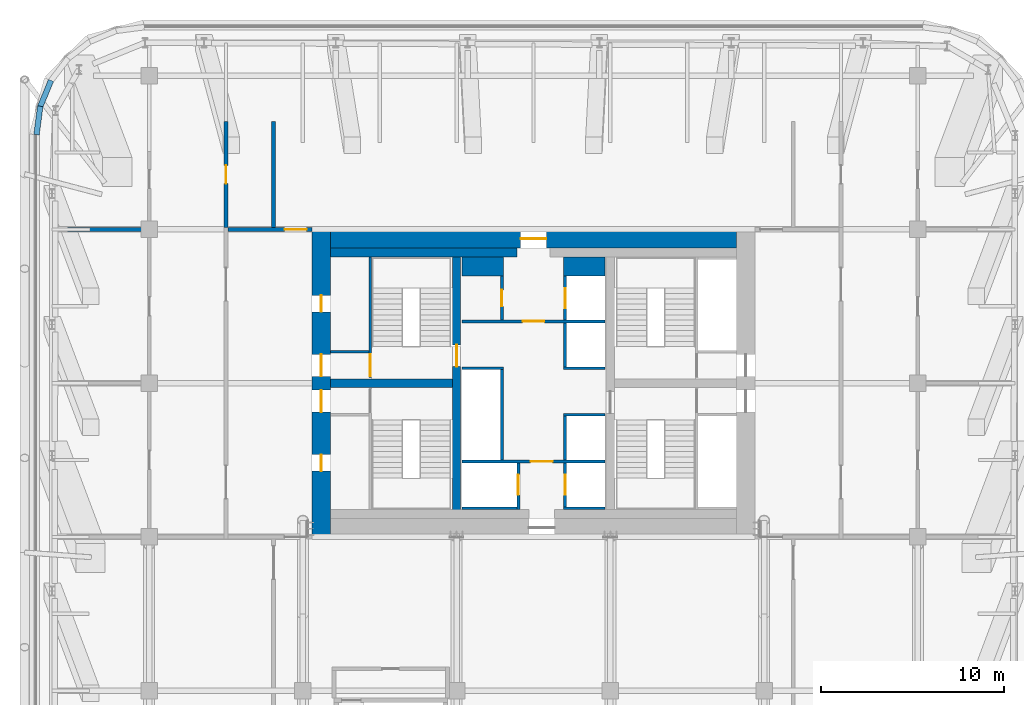
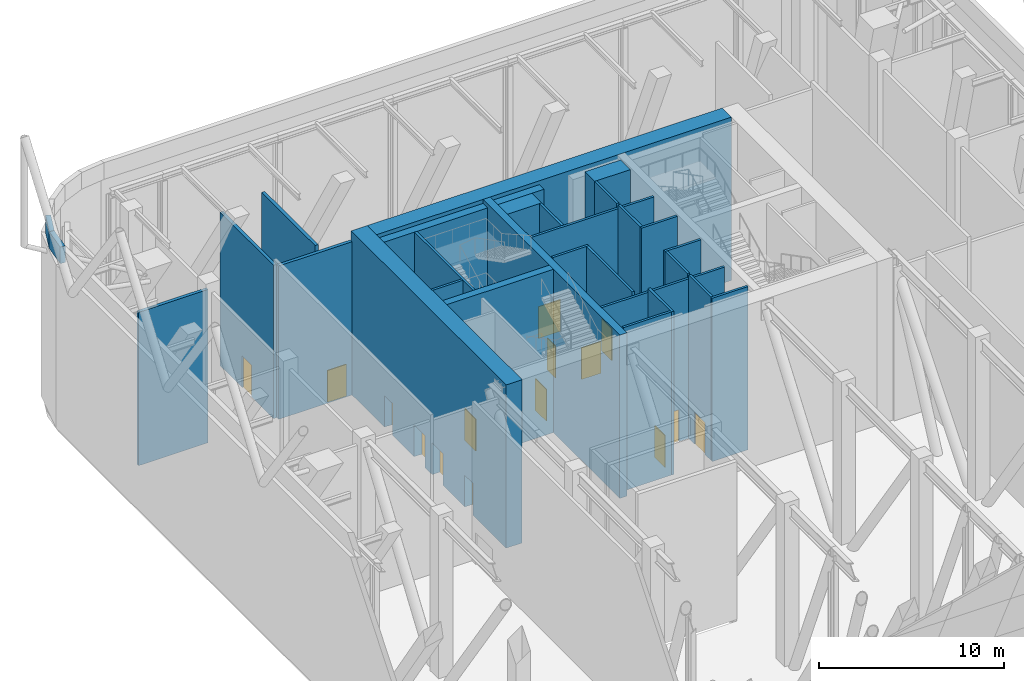
# One storey, part 11 of 20: 29 walls, 15 doors, 15 openings.
"""IFC4 building model written with IfcOpenShell, lengths in metres."""

from ifc_helpers import new_model, si_unit, direction, frame, frame_2d, origin, place, context, subcontext, project, spatial, rectangle, extrude, material, layer, layer_set, type_object, element, fill, save


model = new_model("IFC4")

# Units and contexts
model_context = context("Model", 3, precision=1e-05, world=origin(), true_north=direction((0.0, 1.0)))
body_context = subcontext(model_context, "Body", "Model", "MODEL_VIEW")
ifc_project = project(units=[si_unit("LENGTHUNIT", "METRE"), si_unit("AREAUNIT", "SQUARE_METRE"), si_unit("VOLUMEUNIT", "CUBIC_METRE"), si_unit("PLANEANGLEUNIT", "RADIAN"), si_unit("MASSUNIT", "GRAM", prefix="KILO")], contexts=[model_context])

# Site, building, storey
site_placement = place(None, origin())
site = spatial("IfcSite", under=ifc_project, at=site_placement, CompositionType="ELEMENT")
building_placement = place(site_placement, origin())
building = spatial("IfcBuilding", under=site, at=building_placement, Name="Marenta Gate Hotel Tower", CompositionType="ELEMENT")
storey_placement = place(building_placement, frame((0.0, 0.0, 169.699951171875)))
storey = spatial("IfcBuildingStorey", under=building, at=storey_placement, Name="L40", CompositionType="ELEMENT", Elevation=169.699951171875)

# Wall, opening, door
ifc_material_1 = material(Name="Concrete blockwork", Category="masonry")
ifc_layer_1 = layer(ifc_material_1, 0.199951171875)
ifc_layer_set_1 = layer_set([ifc_layer_1], Name="Concrete blockwork")
wall_type_1 = type_object("IfcWallType", Name="Core boundary wall 200 REI 180", PredefinedType="PARTITIONING", material=ifc_layer_set_1)
wall_1_placement = place(storey_placement, frame((-16.699951171875, 16.800048828125, 0.0), z_axis=(0.0, 0.0, 1.0), x_axis=(1.0, 0.0, 0.0)))
wall_1 = element("IfcWall", 1, at=wall_1_placement, inside=storey, type_object=wall_type_1, Name="L40-CP-EW-WN", PredefinedType="PARTITIONING", context=body_context, shape_type="SweptSolid", body=[
    extrude(rectangle(XDim=4.599853515625, YDim=0.199951171875, at=frame_2d((2.2998046875, 0.0))), origin(), (0.0, 0.0, 1.0), 10.14013671875),
])
opening_1_placement = place(wall_1_placement, frame((3.10009765625, 0.0, 0.0)))
opening_1 = element("IfcOpeningElement", 2, at=opening_1_placement, cuts=wall_1, Name="Opening RFD-WN", PredefinedType="OPENING", context=body_context, shape_type="SweptSolid", body=[
    extrude(rectangle(XDim=1.199951171875, YDim=2.10009765625, at=frame_2d((0.60009765625, 1.050048828125))), frame((0.0, 0.10009765625, 0.0), z_axis=(0.0, -1.0, 0.0), x_axis=(1.0, 0.0, 0.0)), (0.0, 0.0, 1.0), 0.199951171875),
])
ifc_material_2 = material(Name="Steel", Category="steel")
door_type_1 = type_object("IfcDoorType", Name="Core lobby door 1200x2100 FD60", OperationType="SINGLE_SWING_LEFT", PredefinedType="DOOR", material=ifc_material_2)
door_1_placement = place(opening_1_placement, origin())
door_1 = element("IfcDoor", 3, at=door_1_placement, inside=storey, type_object=door_type_1, Name="RFD-WN", OperationType="SINGLE_SWING_LEFT", OverallHeight=2.10009765625, OverallWidth=1.199951171875, PredefinedType="DOOR", context=body_context, shape_type="SweptSolid", body=[
    extrude(rectangle(XDim=1.199951171875, YDim=2.10009765625, at=frame_2d((0.60009765625, 1.050048828125))), frame((0.0, 0.02490234375, 0.0), z_axis=(0.0, -1.0, 0.0), x_axis=(1.0, 0.0, 0.0)), (0.0, 0.0, 1.0), 0.050048828125),
])
fill(opening_1, door_1)

# Wall
ifc_material_3 = material(Name="Concrete C40", Category="concrete")
ifc_layer_2 = layer(ifc_material_3, 0.5)
ifc_layer_set_2 = layer_set([ifc_layer_2], Name="Concrete C40")
wall_type_2 = type_object("IfcWallType", Name="Core lining wall 500 REI 180", PredefinedType="PARTITIONING", material=ifc_layer_set_2)
wall_2_placement = place(storey_placement, frame((-11.10009765625, 15.550048828125, 0.0), z_axis=(0.0, 0.0, 1.0), x_axis=(1.0, 0.0, 0.0)))
element("IfcWall", 4, at=wall_2_placement, inside=storey, type_object=wall_type_2, Name="L40-CP-LN-N1", PredefinedType="PARTITIONING", context=body_context, shape_type="SweptSolid", body=[
    extrude(rectangle(XDim=10.2001953125, YDim=0.5, at=frame_2d((5.10009765625, 0.0))), origin(), (0.0, 0.0, 1.0), 10.5400390625),
])

# Wall, opening, door
ifc_material_4 = material(Name="Concrete blockwork", Category="masonry")
ifc_layer_3 = layer(ifc_material_4, 0.14990234375)
ifc_layer_set_3 = layer_set([ifc_layer_3], Name="Concrete blockwork")
wall_type_3 = type_object("IfcWallType", Name="Core lobby partition 150 REI 180", PredefinedType="PARTITIONING", material=ifc_layer_set_3)
wall_3_placement = place(storey_placement, frame((-3.89990234375, 4.125, 0.0), z_axis=(0.0, 0.0, 1.0), x_axis=(1.0, 0.0, 0.0)))
wall_3 = element("IfcWall", 5, at=wall_3_placement, inside=storey, type_object=wall_type_3, Name="L40-CP-CW-S", PredefinedType="PARTITIONING", context=body_context, shape_type="SweptSolid", body=[
    extrude(rectangle(XDim=7.7998046875, YDim=0.14990234375, at=frame_2d((3.89990234375, 0.0))), origin(), (0.0, 0.0, 1.0), 10.5400390625),
])
opening_2_placement = place(wall_3_placement, frame((3.75, 0.0, 0.0)))
opening_2 = element("IfcOpeningElement", 6, at=opening_2_placement, cuts=wall_3, Name="Opening FD-FFS", PredefinedType="OPENING", context=body_context, shape_type="SweptSolid", body=[
    extrude(rectangle(XDim=1.199951171875, YDim=2.10009765625, at=frame_2d((0.60009765625, 1.050048828125))), frame((0.0, 0.074951171875, 0.0), z_axis=(0.0, -1.0, 0.0), x_axis=(1.0, 0.0, 0.0)), (0.0, 0.0, 1.0), 0.14990234375),
])
door_2_placement = place(opening_2_placement, origin())
door_2 = element("IfcDoor", 7, at=door_2_placement, inside=storey, type_object=door_type_1, Name="FD-FFS", OperationType="SINGLE_SWING_LEFT", OverallHeight=2.10009765625, OverallWidth=1.199951171875, PredefinedType="DOOR", context=body_context, shape_type="SweptSolid", body=[
    extrude(rectangle(XDim=1.199951171875, YDim=2.10009765625, at=frame_2d((0.60009765625, 1.050048828125))), frame((0.0, 0.02490234375, 0.0), z_axis=(0.0, -1.0, 0.0), x_axis=(1.0, 0.0, 0.0)), (0.0, 0.0, 1.0), 0.050048828125),
])
fill(opening_2, door_2)

wall_4_placement = place(storey_placement, frame((-3.89990234375, 11.77490234375, 0.0), z_axis=(0.0, 0.0, 1.0), x_axis=(1.0, 0.0, 0.0)))
wall_4 = element("IfcWall", 8, at=wall_4_placement, inside=storey, type_object=wall_type_3, Name="L40-CP-CW-N", PredefinedType="PARTITIONING", context=body_context, shape_type="SweptSolid", body=[
    extrude(rectangle(XDim=7.7998046875, YDim=0.14990234375, at=frame_2d((3.89990234375, 0.0))), origin(), (0.0, 0.0, 1.0), 10.5400390625),
])
opening_3_placement = place(wall_4_placement, frame((3.300048828125, 0.0, 0.0)))
opening_3 = element("IfcOpeningElement", 9, at=opening_3_placement, cuts=wall_4, Name="Opening FD-FFN", PredefinedType="OPENING", context=body_context, shape_type="SweptSolid", body=[
    extrude(rectangle(XDim=1.199951171875, YDim=2.10009765625, at=frame_2d((0.60009765625, 1.050048828125))), frame((0.0, 0.074951171875, 0.0), z_axis=(0.0, -1.0, 0.0), x_axis=(1.0, 0.0, 0.0)), (0.0, 0.0, 1.0), 0.14990234375),
])
door_3_placement = place(opening_3_placement, origin())
door_3 = element("IfcDoor", 10, at=door_3_placement, inside=storey, type_object=door_type_1, Name="FD-FFN", OperationType="SINGLE_SWING_LEFT", OverallHeight=2.10009765625, OverallWidth=1.199951171875, PredefinedType="DOOR", context=body_context, shape_type="SweptSolid", body=[
    extrude(rectangle(XDim=1.199951171875, YDim=2.10009765625, at=frame_2d((0.60009765625, 1.050048828125))), frame((0.0, 0.02490234375, 0.0), z_axis=(0.0, -1.0, 0.0), x_axis=(1.0, 0.0, 0.0)), (0.0, 0.0, 1.0), 0.050048828125),
])
fill(opening_3, door_3)

# Walls
ifc_material_5 = material(Name="Concrete blockwork", Category="masonry")
ifc_layer_4 = layer(ifc_material_5, 1.050048828125)
ifc_layer_set_4 = layer_set([ifc_layer_4], Name="Concrete blockwork")
wall_type_4 = type_object("IfcWallType", Name="Core room partition 1050 REI 180", PredefinedType="PARTITIONING", material=ifc_layer_set_4)
wall_5_placement = place(storey_placement, frame((-3.89990234375, 14.77490234375, 0.0), z_axis=(0.0, 0.0, 1.0), x_axis=(1.0, 0.0, 0.0)))
element("IfcWall", 11, at=wall_5_placement, inside=storey, type_object=wall_type_4, Name="L40-CP-CW-W-riser-N", PredefinedType="PARTITIONING", context=body_context, shape_type="SweptSolid", body=[
    extrude(rectangle(XDim=2.25, YDim=1.050048828125, at=frame_2d((1.125, 0.0))), origin(), (0.0, 0.0, 1.0), 10.5400390625),
])
ifc_material_6 = material(Name="Concrete blockwork", Category="masonry")
ifc_layer_5 = layer(ifc_material_6, 0.14990234375)
ifc_layer_set_5 = layer_set([ifc_layer_5], Name="Concrete blockwork")
wall_type_5 = type_object("IfcWallType", Name="Core room partition 150 REI 180", PredefinedType="PARTITIONING", material=ifc_layer_set_5)
wall_6_placement = place(storey_placement, frame((-11.10009765625, 10.125, 0.0), z_axis=(0.0, 0.0, 1.0), x_axis=(1.0, 0.0, 0.0)))
element("IfcWall", 12, at=wall_6_placement, inside=storey, type_object=wall_type_5, Name="L40-CP-SW-WN-2", PredefinedType="PARTITIONING", context=body_context, shape_type="SweptSolid", body=[
    extrude(rectangle(XDim=2.10009765625, YDim=0.14990234375, at=frame_2d((1.050048828125, 0.0))), origin(), (0.0, 0.0, 1.0), 10.5400390625),
])

# Wall, opening, door
wall_7_placement = place(storey_placement, frame((-1.72509765625, 11.85009765625, 0.0), z_axis=(0.0, 0.0, 1.0), x_axis=(0.0, 1.0, 0.0)))
wall_7 = element("IfcWall", 13, at=wall_7_placement, inside=storey, type_object=wall_type_5, Name="L40-CP-CW-W-riser-front", PredefinedType="PARTITIONING", context=body_context, shape_type="SweptSolid", body=[
    extrude(rectangle(XDim=2.39990234375, YDim=0.14990234375, at=frame_2d((1.199951171875, 0.0))), origin(), (0.0, 0.0, 1.0), 10.5400390625),
])
opening_4_placement = place(wall_7_placement, frame((0.75, 0.0, 0.0)))
opening_4 = element("IfcOpeningElement", 14, at=opening_4_placement, cuts=wall_7, Name="Opening RD-CRISER", PredefinedType="OPENING", context=body_context, shape_type="SweptSolid", body=[
    extrude(rectangle(XDim=0.89990234375, YDim=2.10009765625, at=frame_2d((0.449951171875, 1.050048828125))), frame((0.0, 0.074951171875, 0.0), z_axis=(0.0, -1.0, 0.0), x_axis=(1.0, 0.0, 0.0)), (0.0, 0.0, 1.0), 0.14990234375),
])
ifc_material_7 = material(Name="Steel", Category="steel")
door_type_2 = type_object("IfcDoorType", Name="Core riser door 900x2100 FD60", OperationType="SINGLE_SWING_LEFT", PredefinedType="DOOR", material=ifc_material_7)
door_4_placement = place(opening_4_placement, origin())
door_4 = element("IfcDoor", 15, at=door_4_placement, inside=storey, type_object=door_type_2, Name="RD-CRISER", OperationType="SINGLE_SWING_LEFT", OverallHeight=2.10009765625, OverallWidth=0.89990234375, PredefinedType="DOOR", context=body_context, shape_type="SweptSolid", body=[
    extrude(rectangle(XDim=0.89990234375, YDim=2.10009765625, at=frame_2d((0.449951171875, 1.050048828125))), frame((0.0, 0.02490234375, 0.0), z_axis=(0.0, -1.0, 0.0), x_axis=(1.0, 0.0, 0.0)), (0.0, 0.0, 1.0), 0.050048828125),
])
fill(opening_4, door_4)

# Wall
ifc_material_8 = material(Name="Concrete C40", Category="concrete")
ifc_layer_6 = layer(ifc_material_8, 1.050048828125)
ifc_layer_set_6 = layer_set([ifc_layer_6], Name="Concrete C40")
wall_type_6 = type_object("IfcWallType", Name="Core shaft wall 1050 REI 180", PredefinedType="SHEAR", material=ifc_layer_set_6)
wall_8_placement = place(storey_placement, frame((1.64990234375, 14.77490234375, 0.0), z_axis=(0.0, 0.0, 1.0), x_axis=(1.0, 0.0, 0.0)))
element("IfcWall", 16, at=wall_8_placement, inside=storey, type_object=wall_type_6, Name="L40-SHF-CE-N-top", PredefinedType="SHEAR", context=body_context, shape_type="SweptSolid", body=[
    extrude(rectangle(XDim=2.25, YDim=1.050048828125, at=frame_2d((1.125, 0.0))), origin(), (0.0, 0.0, 1.0), 10.800048828125),
])

# Wall, opening, door
ifc_material_9 = material(Name="Concrete C40", Category="concrete")
ifc_layer_7 = layer(ifc_material_9, 0.14990234375)
ifc_layer_set_7 = layer_set([ifc_layer_7], Name="Concrete C40")
wall_type_7 = type_object("IfcWallType", Name="Core shaft wall 150 REI 180", PredefinedType="SHEAR", material=ifc_layer_set_7)
wall_9_placement = place(storey_placement, frame((-0.824951171875, 1.5, 0.0), z_axis=(0.0, 0.0, 1.0), x_axis=(0.0, 1.0, 0.0)))
wall_9 = element("IfcWall", 17, at=wall_9_placement, inside=storey, type_object=wall_type_7, Name="L40-SHF-CW-W-ff", PredefinedType="SHEAR", context=body_context, shape_type="SweptSolid", body=[
    extrude(rectangle(XDim=2.550048828125, YDim=0.14990234375, at=frame_2d((1.27490234375, 0.0))), origin(), (0.0, 0.0, 1.0), 10.800048828125),
])
opening_5_placement = place(wall_9_placement, frame((0.800048828125, 0.0, 0.0)))
opening_5 = element("IfcOpeningElement", 18, at=opening_5_placement, cuts=wall_9, Name="Opening LD-FF1", PredefinedType="OPENING", context=body_context, shape_type="SweptSolid", body=[
    extrude(rectangle(XDim=1.10009765625, YDim=2.10009765625, at=frame_2d((0.550048828125, 1.050048828125))), frame((0.0, 0.074951171875, 0.0), z_axis=(0.0, -1.0, 0.0), x_axis=(1.0, 0.0, 0.0)), (0.0, 0.0, 1.0), 0.14990234375),
])
ifc_material_10 = material(Name="Steel", Category="steel")
door_type_3 = type_object("IfcDoorType", Name="Core lift landing door 1100x2100 E 60", OperationType="SLIDING_TO_LEFT", PredefinedType="DOOR", material=ifc_material_10)
door_5_placement = place(opening_5_placement, origin())
door_5 = element("IfcDoor", 19, at=door_5_placement, inside=storey, type_object=door_type_3, Name="LD-FF1", OperationType="SLIDING_TO_LEFT", OverallHeight=2.10009765625, OverallWidth=1.10009765625, PredefinedType="DOOR", context=body_context, shape_type="SweptSolid", body=[
    extrude(rectangle(XDim=1.10009765625, YDim=2.10009765625, at=frame_2d((0.550048828125, 1.050048828125))), frame((0.0, 0.02490234375, 0.0), z_axis=(0.0, -1.0, 0.0), x_axis=(1.0, 0.0, 0.0)), (0.0, 0.0, 1.0), 0.050048828125),
])
fill(opening_5, door_5)

# Walls
wall_10_placement = place(storey_placement, frame((-3.89990234375, 1.574951171875, 0.0), z_axis=(0.0, 0.0, 1.0), x_axis=(1.0, 0.0, 0.0)))
element("IfcWall", 20, at=wall_10_placement, inside=storey, type_object=wall_type_7, Name="L40-SHF-CW-W-ffs", PredefinedType="SHEAR", context=body_context, shape_type="SweptSolid", body=[
    extrude(rectangle(XDim=3.0, YDim=0.14990234375, at=frame_2d((1.5, 0.0))), origin(), (0.0, 0.0, 1.0), 10.800048828125),
])
wall_11_placement = place(storey_placement, frame((-1.72509765625, 4.199951171875, 0.0), z_axis=(0.0, 0.0, 1.0), x_axis=(0.0, 1.0, 0.0)))
element("IfcWall", 21, at=wall_11_placement, inside=storey, type_object=wall_type_7, Name="L40-SHF-CW-W-front", PredefinedType="SHEAR", context=body_context, shape_type="SweptSolid", body=[
    extrude(rectangle(XDim=4.949951171875, YDim=0.14990234375, at=frame_2d((2.47509765625, 0.0))), origin(), (0.0, 0.0, 1.0), 10.800048828125),
])
wall_12_placement = place(storey_placement, frame((-3.89990234375, 9.22509765625, 0.0), z_axis=(0.0, 0.0, 1.0), x_axis=(1.0, 0.0, 0.0)))
element("IfcWall", 22, at=wall_12_placement, inside=storey, type_object=wall_type_7, Name="L40-SHF-CW-W-sep", PredefinedType="SHEAR", context=body_context, shape_type="SweptSolid", body=[
    extrude(rectangle(XDim=2.25, YDim=0.14990234375, at=frame_2d((1.125, 0.0))), origin(), (0.0, 0.0, 1.0), 10.800048828125),
])

# Wall, opening, door
wall_13_placement = place(storey_placement, frame((1.72509765625, 1.64990234375, 0.0), z_axis=(0.0, 0.0, 1.0), x_axis=(0.0, 1.0, 0.0)))
wall_13 = element("IfcWall", 23, at=wall_13_placement, inside=storey, type_object=wall_type_7, Name="L40-SHF-CE-S-ls", PredefinedType="SHEAR", context=body_context, shape_type="SweptSolid", body=[
    extrude(rectangle(XDim=2.400146484375, YDim=0.14990234375, at=frame_2d((1.2001953125, 0.0))), origin(), (0.0, 0.0, 1.0), 10.800048828125),
])
opening_6_placement = place(wall_13_placement, frame((0.64990234375, 0.0, 0.0)))
opening_6 = element("IfcOpeningElement", 24, at=opening_6_placement, cuts=wall_13, Name="Opening LD-SV1", PredefinedType="OPENING", context=body_context, shape_type="SweptSolid", body=[
    extrude(rectangle(XDim=1.10009765625, YDim=2.10009765625, at=frame_2d((0.550048828125, 1.050048828125))), frame((0.0, 0.074951171875, 0.0), z_axis=(0.0, -1.0, 0.0), x_axis=(1.0, 0.0, 0.0)), (0.0, 0.0, 1.0), 0.14990234375),
])
door_6_placement = place(opening_6_placement, origin())
door_6 = element("IfcDoor", 25, at=door_6_placement, inside=storey, type_object=door_type_3, Name="LD-SV1", OperationType="SLIDING_TO_LEFT", OverallHeight=2.10009765625, OverallWidth=1.10009765625, PredefinedType="DOOR", context=body_context, shape_type="SweptSolid", body=[
    extrude(rectangle(XDim=1.10009765625, YDim=2.10009765625, at=frame_2d((0.550048828125, 1.050048828125))), frame((0.0, 0.02490234375, 0.0), z_axis=(0.0, -1.0, 0.0), x_axis=(1.0, 0.0, 0.0)), (0.0, 0.0, 1.0), 0.050048828125),
])
fill(opening_6, door_6)

# Wall
wall_14_placement = place(storey_placement, frame((1.64990234375, 1.574951171875, 0.0), z_axis=(0.0, 0.0, 1.0), x_axis=(1.0, 0.0, 0.0)))
element("IfcWall", 26, at=wall_14_placement, inside=storey, type_object=wall_type_7, Name="L40-SHF-CE-S-bot", PredefinedType="SHEAR", context=body_context, shape_type="SweptSolid", body=[
    extrude(rectangle(XDim=2.25, YDim=0.14990234375, at=frame_2d((1.125, 0.0))), origin(), (0.0, 0.0, 1.0), 10.800048828125),
])

# Wall, opening, door
wall_15_placement = place(storey_placement, frame((1.72509765625, 11.85009765625, 0.0), z_axis=(0.0, 0.0, 1.0), x_axis=(0.0, 1.0, 0.0)))
wall_15 = element("IfcWall", 27, at=wall_15_placement, inside=storey, type_object=wall_type_7, Name="L40-SHF-CE-N-front2", PredefinedType="SHEAR", context=body_context, shape_type="SweptSolid", body=[
    extrude(rectangle(XDim=2.39990234375, YDim=0.14990234375, at=frame_2d((1.199951171875, 0.0))), origin(), (0.0, 0.0, 1.0), 10.800048828125),
])
opening_7_placement = place(wall_15_placement, frame((0.64990234375, 0.0, 0.0)))
opening_7 = element("IfcOpeningElement", 28, at=opening_7_placement, cuts=wall_15, Name="Opening LD-FF2", PredefinedType="OPENING", context=body_context, shape_type="SweptSolid", body=[
    extrude(rectangle(XDim=1.10009765625, YDim=2.10009765625, at=frame_2d((0.550048828125, 1.050048828125))), frame((0.0, 0.074951171875, 0.0), z_axis=(0.0, -1.0, 0.0), x_axis=(1.0, 0.0, 0.0)), (0.0, 0.0, 1.0), 0.14990234375),
])
door_7_placement = place(opening_7_placement, origin())
door_7 = element("IfcDoor", 29, at=door_7_placement, inside=storey, type_object=door_type_3, Name="LD-FF2", OperationType="SLIDING_TO_LEFT", OverallHeight=2.10009765625, OverallWidth=1.10009765625, PredefinedType="DOOR", context=body_context, shape_type="SweptSolid", body=[
    extrude(rectangle(XDim=1.10009765625, YDim=2.10009765625, at=frame_2d((0.550048828125, 1.050048828125))), frame((0.0, 0.02490234375, 0.0), z_axis=(0.0, -1.0, 0.0), x_axis=(1.0, 0.0, 0.0)), (0.0, 0.0, 1.0), 0.050048828125),
])
fill(opening_7, door_7)

# Walls
for number, where, z_axis, x_axis, name in (
    (30, (1.64990234375, 6.675048828125, 0.0), (0.0, 0.0, 1.0), (1.0, 0.0, 0.0), "L40-SHF-CE-sep1"),
    (31, (1.64990234375, 9.22509765625, 0.0), (0.0, 0.0, 1.0), (1.0, 0.0, 0.0), "L40-SHF-CE-sep2"),
):
    element("IfcWall", number, at=place(storey_placement, frame(where, z_axis=z_axis, x_axis=x_axis)), inside=storey, type_object=wall_type_7, Name=name, PredefinedType="SHEAR", context=body_context, shape_type="SweptSolid", body=[
        extrude(rectangle(XDim=2.25, YDim=0.14990234375, at=frame_2d((1.125, 0.0))), origin(), (0.0, 0.0, 1.0), 10.800048828125),
    ])
wall_16_placement = place(storey_placement, frame((1.72509765625, 4.199951171875, 0.0), z_axis=(0.0, 0.0, 1.0), x_axis=(0.0, 1.0, 0.0)))
element("IfcWall", 32, at=wall_16_placement, inside=storey, type_object=wall_type_7, Name="L40-SHF-CE-front-1", PredefinedType="SHEAR", context=body_context, shape_type="SweptSolid", body=[
    extrude(rectangle(XDim=2.400146484375, YDim=0.14990234375, at=frame_2d((1.2001953125, 0.0))), origin(), (0.0, 0.0, 1.0), 10.800048828125),
])
wall_17_placement = place(storey_placement, frame((1.72509765625, 9.300048828125, 0.0), z_axis=(0.0, 0.0, 1.0), x_axis=(0.0, 1.0, 0.0)))
element("IfcWall", 33, at=wall_17_placement, inside=storey, type_object=wall_type_7, Name="L40-SHF-CE-front-2", PredefinedType="SHEAR", context=body_context, shape_type="SweptSolid", body=[
    extrude(rectangle(XDim=2.39990234375, YDim=0.14990234375, at=frame_2d((1.199951171875, 0.0))), origin(), (0.0, 0.0, 1.0), 10.800048828125),
])

# Wall, opening, door
ifc_material_11 = material(Name="Concrete C40", Category="concrete")
ifc_layer_8 = layer(ifc_material_11, 0.14990234375)
ifc_layer_set_8 = layer_set([ifc_layer_8], Name="Concrete C40")
wall_type_8 = type_object("IfcWallType", Name="Core stair enclosure wall 150 REI 180", PredefinedType="SHEAR", material=ifc_layer_set_8)
wall_18_placement = place(storey_placement, frame((-8.925048828125, 8.699951171875, 0.0), z_axis=(0.0, 0.0, 1.0), x_axis=(0.0, 1.0, 0.0)))
wall_18 = element("IfcWall", 34, at=wall_18_placement, inside=storey, type_object=wall_type_8, Name="L40-SHF-SW-WN-3", PredefinedType="SHEAR", context=body_context, shape_type="SweptSolid", body=[
    extrude(rectangle(XDim=6.60009765625, YDim=0.14990234375, at=frame_2d((3.300048828125, 0.0))), origin(), (0.0, 0.0, 1.0), 10.5400390625),
])
opening_8_placement = place(wall_18_placement, frame((0.074951171875, 0.0, 0.0)))
opening_8 = element("IfcOpeningElement", 35, at=opening_8_placement, cuts=wall_18, Name="Opening SD-WN", PredefinedType="OPENING", context=body_context, shape_type="SweptSolid", body=[
    extrude(rectangle(XDim=1.199951171875, YDim=2.10009765625, at=frame_2d((0.60009765625, 1.050048828125))), frame((0.0, 0.074951171875, 0.0), z_axis=(0.0, -1.0, 0.0), x_axis=(1.0, 0.0, 0.0)), (0.0, 0.0, 1.0), 0.14990234375),
])
ifc_material_12 = material(Name="Steel", Category="steel")
door_type_4 = type_object("IfcDoorType", Name="Core stair door 1200x2100 FD60", OperationType="SINGLE_SWING_LEFT", PredefinedType="DOOR", material=ifc_material_12)
door_8_placement = place(opening_8_placement, origin())
door_8 = element("IfcDoor", 36, at=door_8_placement, inside=storey, type_object=door_type_4, Name="SD-WN", OperationType="SINGLE_SWING_LEFT", OverallHeight=2.10009765625, OverallWidth=1.199951171875, PredefinedType="DOOR", context=body_context, shape_type="SweptSolid", body=[
    extrude(rectangle(XDim=1.199951171875, YDim=2.10009765625, at=frame_2d((0.60009765625, 1.050048828125))), frame((0.0, 0.02490234375, 0.0), z_axis=(0.0, -1.0, 0.0), x_axis=(1.0, 0.0, 0.0)), (0.0, 0.0, 1.0), 0.050048828125),
])
fill(opening_8, door_8)

# Wall, openings, doors
ifc_material_13 = material(Name="Concrete C70", Category="concrete")
ifc_layer_9 = layer(ifc_material_13, 1.0)
ifc_layer_set_9 = layer_set([ifc_layer_9], Name="Concrete C70")
wall_type_9 = type_object("IfcWallType", Name="Core wall 1000 C70", PredefinedType="SHEAR", material=ifc_layer_set_9)
wall_19_placement = place(storey_placement, frame((-11.60009765625, 0.0, 0.0), z_axis=(0.0, 0.0, 1.0), x_axis=(0.0, 1.0, 0.0)))
wall_19 = element("IfcWall", 37, at=wall_19_placement, inside=storey, type_object=wall_type_9, Name="L40-CORE-W", PredefinedType="SHEAR", context=body_context, shape_type="SweptSolid", body=[
    extrude(rectangle(XDim=16.800048828125, YDim=1.0, at=frame_2d((8.39990234375, 0.0))), origin(), (0.0, 0.0, 1.0), 10.800048828125),
])
opening_9_placement = place(wall_19_placement, frame((3.60009765625, 0.0, 0.0)))
opening_9 = element("IfcOpeningElement", 38, at=opening_9_placement, cuts=wall_19, Name="Opening RD-WS-1", PredefinedType="OPENING", context=body_context, shape_type="SweptSolid", body=[
    extrude(rectangle(XDim=0.89990234375, YDim=2.10009765625, at=frame_2d((0.449951171875, 1.050048828125))), frame((0.0, 0.5, 0.0), z_axis=(0.0, -1.0, 0.0), x_axis=(1.0, 0.0, 0.0)), (0.0, 0.0, 1.0), 1.0),
])
opening_10_placement = place(wall_19_placement, frame((6.824951171875, 0.0, 0.0)))
opening_10 = element("IfcOpeningElement", 39, at=opening_10_placement, cuts=wall_19, Name="Opening PD-WS", PredefinedType="OPENING", context=body_context, shape_type="SweptSolid", body=[
    extrude(rectangle(XDim=1.199951171875, YDim=2.10009765625, at=frame_2d((0.60009765625, 1.050048828125))), frame((0.0, 0.5, 0.0), z_axis=(0.0, -1.0, 0.0), x_axis=(1.0, 0.0, 0.0)), (0.0, 0.0, 1.0), 1.0),
])
opening_11_placement = place(wall_19_placement, frame((12.300048828125, 0.0, 0.0)))
opening_11 = element("IfcOpeningElement", 40, at=opening_11_placement, cuts=wall_19, Name="Opening RD-WN-1", PredefinedType="OPENING", context=body_context, shape_type="SweptSolid", body=[
    extrude(rectangle(XDim=0.89990234375, YDim=2.10009765625, at=frame_2d((0.449951171875, 1.050048828125))), frame((0.0, 0.5, 0.0), z_axis=(0.0, -1.0, 0.0), x_axis=(1.0, 0.0, 0.0)), (0.0, 0.0, 1.0), 1.0),
])
opening_12_placement = place(wall_19_placement, frame((8.77490234375, 0.0, 0.0)))
opening_12 = element("IfcOpeningElement", 41, at=opening_12_placement, cuts=wall_19, Name="Opening PD-WN", PredefinedType="OPENING", context=body_context, shape_type="SweptSolid", body=[
    extrude(rectangle(XDim=1.199951171875, YDim=2.10009765625, at=frame_2d((0.60009765625, 1.050048828125))), frame((0.0, 0.5, 0.0), z_axis=(0.0, -1.0, 0.0), x_axis=(1.0, 0.0, 0.0)), (0.0, 0.0, 1.0), 1.0),
])
door_9_placement = place(opening_10_placement, origin())
door_9 = element("IfcDoor", 42, at=door_9_placement, inside=storey, type_object=door_type_1, Name="PD-WS", OperationType="SINGLE_SWING_LEFT", OverallHeight=2.10009765625, OverallWidth=1.199951171875, PredefinedType="DOOR", context=body_context, shape_type="SweptSolid", body=[
    extrude(rectangle(XDim=1.199951171875, YDim=2.10009765625, at=frame_2d((0.60009765625, 1.050048828125))), frame((0.0, 0.02490234375, 0.0), z_axis=(0.0, -1.0, 0.0), x_axis=(1.0, 0.0, 0.0)), (0.0, 0.0, 1.0), 0.050048828125),
])
fill(opening_10, door_9)
door_10_placement = place(opening_12_placement, origin())
door_10 = element("IfcDoor", 43, at=door_10_placement, inside=storey, type_object=door_type_1, Name="PD-WN", OperationType="SINGLE_SWING_LEFT", OverallHeight=2.10009765625, OverallWidth=1.199951171875, PredefinedType="DOOR", context=body_context, shape_type="SweptSolid", body=[
    extrude(rectangle(XDim=1.199951171875, YDim=2.10009765625, at=frame_2d((0.60009765625, 1.050048828125))), frame((0.0, 0.02490234375, 0.0), z_axis=(0.0, -1.0, 0.0), x_axis=(1.0, 0.0, 0.0)), (0.0, 0.0, 1.0), 0.050048828125),
])
fill(opening_12, door_10)
ifc_material_14 = material(Name="Steel", Category="steel")
door_type_5 = type_object("IfcDoorType", Name="Core service room door 900x2100 FD30S", OperationType="SINGLE_SWING_LEFT", PredefinedType="DOOR", material=ifc_material_14)
door_11_placement = place(opening_9_placement, origin())
door_11 = element("IfcDoor", 44, at=door_11_placement, inside=storey, type_object=door_type_5, Name="RD-WS-1", OperationType="SINGLE_SWING_LEFT", OverallHeight=2.10009765625, OverallWidth=0.89990234375, PredefinedType="DOOR", context=body_context, shape_type="SweptSolid", body=[
    extrude(rectangle(XDim=0.89990234375, YDim=2.10009765625, at=frame_2d((0.449951171875, 1.050048828125))), frame((0.0, 0.02490234375, 0.0), z_axis=(0.0, -1.0, 0.0), x_axis=(1.0, 0.0, 0.0)), (0.0, 0.0, 1.0), 0.050048828125),
])
fill(opening_9, door_11)
door_12_placement = place(opening_11_placement, origin())
door_12 = element("IfcDoor", 45, at=door_12_placement, inside=storey, type_object=door_type_5, Name="RD-WN-1", OperationType="SINGLE_SWING_LEFT", OverallHeight=2.10009765625, OverallWidth=0.89990234375, PredefinedType="DOOR", context=body_context, shape_type="SweptSolid", body=[
    extrude(rectangle(XDim=0.89990234375, YDim=2.10009765625, at=frame_2d((0.449951171875, 1.050048828125))), frame((0.0, 0.02490234375, 0.0), z_axis=(0.0, -1.0, 0.0), x_axis=(1.0, 0.0, 0.0)), (0.0, 0.0, 1.0), 0.050048828125),
])
fill(opening_11, door_12)

# Wall, opening, door
wall_20_placement = place(storey_placement, frame((-11.10009765625, 16.300048828125, 0.0), z_axis=(0.0, 0.0, 1.0), x_axis=(1.0, 0.0, 0.0)))
wall_20 = element("IfcWall", 46, at=wall_20_placement, inside=storey, type_object=wall_type_9, Name="L40-CORE-N", PredefinedType="SHEAR", context=body_context, shape_type="SweptSolid", body=[
    extrude(rectangle(XDim=22.2001953125, YDim=1.0, at=frame_2d((11.10009765625, 0.0))), origin(), (0.0, 0.0, 1.0), 10.800048828125),
])
opening_13_placement = place(wall_20_placement, frame((10.39990234375, 0.0, 0.0)))
opening_13 = element("IfcOpeningElement", 47, at=opening_13_placement, cuts=wall_20, Name="Opening RFD-N", PredefinedType="OPENING", context=body_context, shape_type="SweptSolid", body=[
    extrude(rectangle(XDim=1.39990234375, YDim=2.10009765625, at=frame_2d((0.699951171875, 1.050048828125))), frame((0.0, 0.5, 0.0), z_axis=(0.0, -1.0, 0.0), x_axis=(1.0, 0.0, 0.0)), (0.0, 0.0, 1.0), 1.0),
])
ifc_material_15 = material(Name="Steel", Category="steel")
door_type_6 = type_object("IfcDoorType", Name="Core lobby door 1400x2100 FD60", OperationType="SINGLE_SWING_LEFT", PredefinedType="DOOR", material=ifc_material_15)
door_13_placement = place(opening_13_placement, origin())
door_13 = element("IfcDoor", 48, at=door_13_placement, inside=storey, type_object=door_type_6, Name="RFD-N", OperationType="SINGLE_SWING_LEFT", OverallHeight=2.10009765625, OverallWidth=1.39990234375, PredefinedType="DOOR", context=body_context, shape_type="SweptSolid", body=[
    extrude(rectangle(XDim=1.39990234375, YDim=2.10009765625, at=frame_2d((0.699951171875, 1.050048828125))), frame((0.0, 0.02490234375, 0.0), z_axis=(0.0, -1.0, 0.0), x_axis=(1.0, 0.0, 0.0)), (0.0, 0.0, 1.0), 0.050048828125),
])
fill(opening_13, door_13)

ifc_material_16 = material(Name="Concrete C70", Category="concrete")
ifc_layer_10 = layer(ifc_material_16, 0.449951171875)
ifc_layer_set_10 = layer_set([ifc_layer_10], Name="Concrete C70")
wall_type_10 = type_object("IfcWallType", Name="Core web 450 C70", PredefinedType="SHEAR", material=ifc_layer_set_10)
wall_21_placement = place(storey_placement, frame((-4.199951171875, 1.0, 0.0), z_axis=(0.0, 0.0, 1.0), x_axis=(0.0, 1.0, 0.0)))
wall_21 = element("IfcWall", 49, at=wall_21_placement, inside=storey, type_object=wall_type_10, Name="L40-CORE-W1", PredefinedType="SHEAR", context=body_context, shape_type="SweptSolid", body=[
    extrude(rectangle(XDim=14.800048828125, YDim=0.449951171875, at=frame_2d((7.39990234375, 0.0))), origin(), (0.0, 0.0, 1.0), 10.800048828125),
])
opening_14_placement = place(wall_21_placement, frame((8.300048828125, 0.0, 0.0)))
opening_14 = element("IfcOpeningElement", 50, at=opening_14_placement, cuts=wall_21, Name="Opening WD-W", PredefinedType="OPENING", context=body_context, shape_type="SweptSolid", body=[
    extrude(rectangle(XDim=1.199951171875, YDim=2.10009765625, at=frame_2d((0.60009765625, 1.050048828125))), frame((0.0, 0.22509765625, 0.0), z_axis=(0.0, -1.0, 0.0), x_axis=(1.0, 0.0, 0.0)), (0.0, 0.0, 1.0), 0.449951171875),
])
door_14_placement = place(opening_14_placement, origin())
door_14 = element("IfcDoor", 51, at=door_14_placement, inside=storey, type_object=door_type_4, Name="WD-W", OperationType="SINGLE_SWING_LEFT", OverallHeight=2.10009765625, OverallWidth=1.199951171875, PredefinedType="DOOR", context=body_context, shape_type="SweptSolid", body=[
    extrude(rectangle(XDim=1.199951171875, YDim=2.10009765625, at=frame_2d((0.60009765625, 1.050048828125))), frame((0.0, 0.02490234375, 0.0), z_axis=(0.0, -1.0, 0.0), x_axis=(1.0, 0.0, 0.0)), (0.0, 0.0, 1.0), 0.050048828125),
])
fill(opening_14, door_14)

# Walls
wall_22_placement = place(storey_placement, frame((-11.10009765625, 8.39990234375, 0.0), z_axis=(0.0, 0.0, 1.0), x_axis=(1.0, 0.0, 0.0)))
element("IfcWall", 52, at=wall_22_placement, inside=storey, type_object=wall_type_10, Name="L40-CORE-W3", PredefinedType="SHEAR", context=body_context, shape_type="SweptSolid", body=[
    extrude(rectangle(XDim=6.675048828125, YDim=0.449951171875, at=frame_2d((3.33740234375, 0.0))), origin(), (0.0, 0.0, 1.0), 10.800048828125),
])
ifc_material_17 = material(Name="Concrete C40 board-marked", Category="concrete")
ifc_layer_11 = layer(ifc_material_17, 0.300048828125)
ifc_layer_set_11 = layer_set([ifc_layer_11], Name="Concrete C40 board-marked")
wall_type_11 = type_object("IfcWallType", Name="Parapet 300 mm board-marked concrete", PredefinedType="PARAPET", material=ifc_layer_set_11)
for number, where, z_axis, x_axis, name in (
    (53, (-27.1513671875, 21.98046875, 10.800048828125), (0.0, 0.0, 1.0), (0.130478707622, 0.991451111683, 0.0), "L40-PAR-00040"),
    (54, (-26.95703125, 23.49560546875, 10.800048828125), (0.0, 0.0, 1.0), (0.382677606907, 0.923881945474, 0.0), "L40-PAR-00050"),
):
    element("IfcWall", number, at=place(storey_placement, frame(where, z_axis=z_axis, x_axis=x_axis)), inside=storey, type_object=wall_type_11, Name=name, PredefinedType="PARAPET", context=body_context, shape_type="SweptSolid", body=[
        extrude(rectangle(XDim=1.566162109375, YDim=0.300048828125, at=frame_2d((0.783203125, 0.0))), origin(), (0.0, 0.0, 1.0), 1.10009765625),
    ])

# Wall, opening, door
ifc_material_18 = material(Name="Gypsum board on steel stud", Category="steel")
ifc_layer_12 = layer(ifc_material_18, 0.199951171875)
ifc_layer_set_12 = layer_set([ifc_layer_12], Name="Gypsum board on steel stud")
wall_type_12 = type_object("IfcWallType", Name="Room corridor wall 200 EI 60", PredefinedType="PARTITIONING", material=ifc_layer_set_12)
wall_23_placement = place(storey_placement, frame((-16.800048828125, 16.89990234375, 0.0), z_axis=(0.0, 0.0, 1.0), x_axis=(0.0, 1.0, 0.0)))
wall_23 = element("IfcWall", 55, at=wall_23_placement, inside=storey, type_object=wall_type_12, Name="L40-PTN-W016", PredefinedType="PARTITIONING", context=body_context, shape_type="SweptSolid", body=[
    extrude(rectangle(XDim=5.800048828125, YDim=0.199951171875, at=frame_2d((2.89990234375, 0.0))), origin(), (0.0, 0.0, 1.0), 10.14013671875),
])
opening_15_placement = place(wall_23_placement, frame((2.39990234375, 0.0, 0.0)))
opening_15 = element("IfcOpeningElement", 56, at=opening_15_placement, cuts=wall_23, Name="Opening S09-07", PredefinedType="OPENING", context=body_context, shape_type="SweptSolid", body=[
    extrude(rectangle(XDim=1.0, YDim=2.10009765625, at=frame_2d((0.5, 1.050048828125))), frame((0.0, 0.10009765625, 0.0), z_axis=(0.0, -1.0, 0.0), x_axis=(1.0, 0.0, 0.0)), (0.0, 0.0, 1.0), 0.199951171875),
])
ifc_material_19 = material(Name="Hollow steel door set", Category="steel")
door_type_7 = type_object("IfcDoorType", Name="Plant room door 1000x2100 EI 30", OperationType="NOTDEFINED", PredefinedType="DOOR", material=ifc_material_19)
door_15_placement = place(opening_15_placement, origin())
door_15 = element("IfcDoor", 57, at=door_15_placement, inside=storey, type_object=door_type_7, Name="L40-PD-D007", OperationType="SINGLE_SWING_RIGHT", OverallHeight=2.10009765625, OverallWidth=1.0, PredefinedType="DOOR", context=body_context, shape_type="SweptSolid", body=[
    extrude(rectangle(XDim=1.0, YDim=2.10009765625, at=frame_2d((0.5, 1.050048828125))), frame((0.0, 0.02490234375, 0.0), z_axis=(0.0, -1.0, 0.0), x_axis=(1.0, 0.0, 0.0)), (0.0, 0.0, 1.0), 0.050048828125),
])
fill(opening_15, door_15)

# Walls
ifc_material_20 = material(Name="Gypsum board on steel stud", Category="steel")
ifc_layer_13 = layer(ifc_material_20, 0.199951171875)
ifc_layer_set_13 = layer_set([ifc_layer_13], Name="Gypsum board on steel stud")
wall_type_13 = type_object("IfcWallType", Name="Room party wall 200 EI 60", PredefinedType="PARTITIONING", material=ifc_layer_set_13)
wall_24_placement = place(storey_placement, frame((-25.447021484375, 16.800048828125, 0.0), z_axis=(0.0, 0.0, 1.0), x_axis=(1.0, 0.0, 0.0)))
element("IfcWall", 58, at=wall_24_placement, inside=storey, type_object=wall_type_13, Name="L40-PTN-W017", PredefinedType="PARTITIONING", context=body_context, shape_type="SweptSolid", body=[
    extrude(rectangle(XDim=4.346923828125, YDim=0.199951171875, at=frame_2d((2.17333984375, 0.0))), origin(), (0.0, 0.0, 1.0), 10.14013671875),
])
ifc_material_21 = material(Name="Concrete blockwork", Category="masonry")
ifc_layer_14 = layer(ifc_material_21, 0.199951171875)
ifc_layer_set_14 = layer_set([ifc_layer_14], Name="Concrete blockwork")
wall_type_14 = type_object("IfcWallType", Name="Room party wall 200 REI 180", PredefinedType="PARTITIONING", material=ifc_layer_set_14)
wall_25_placement = place(storey_placement, frame((-14.199951171875, 16.89990234375, 0.0), z_axis=(0.0, 0.0, 1.0), x_axis=(0.0, 1.0, 0.0)))
element("IfcWall", 59, at=wall_25_placement, inside=storey, type_object=wall_type_14, Name="L40-PTN-W015", PredefinedType="PARTITIONING", context=body_context, shape_type="SweptSolid", body=[
    extrude(rectangle(XDim=5.800048828125, YDim=0.199951171875, at=frame_2d((2.89990234375, 0.0))), origin(), (0.0, 0.0, 1.0), 10.5400390625),
])

save(model, "model.ifc")
